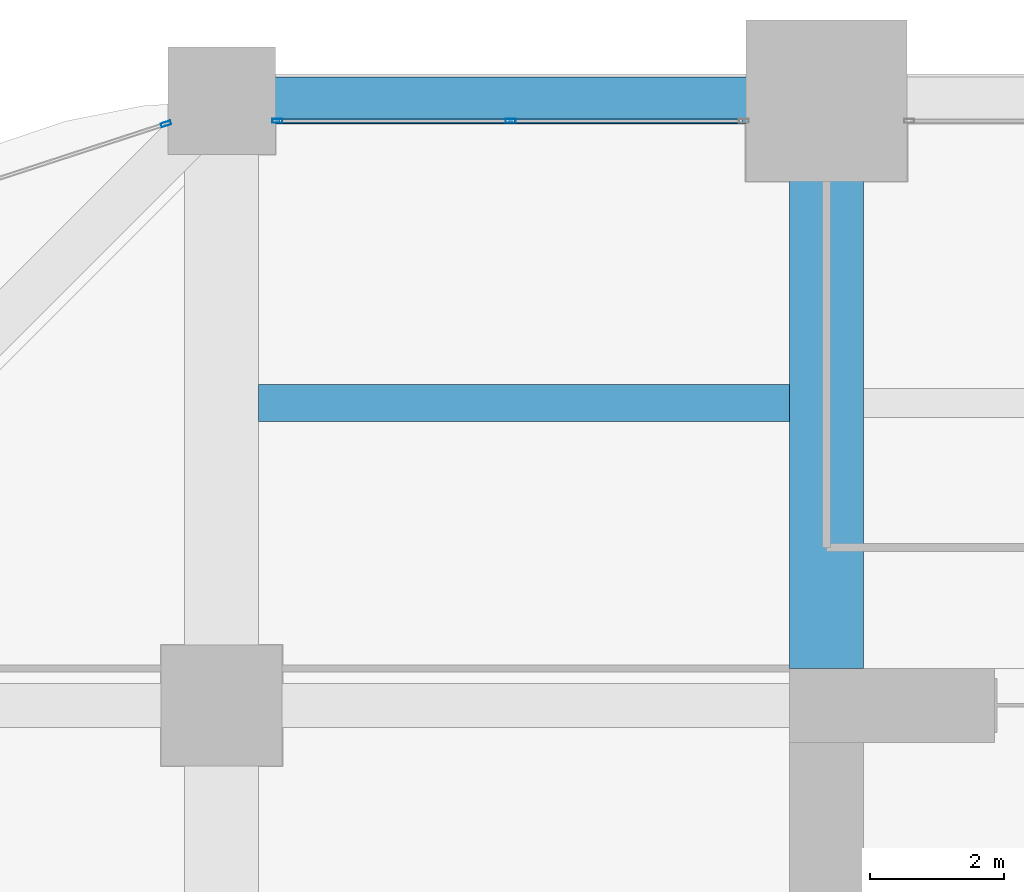
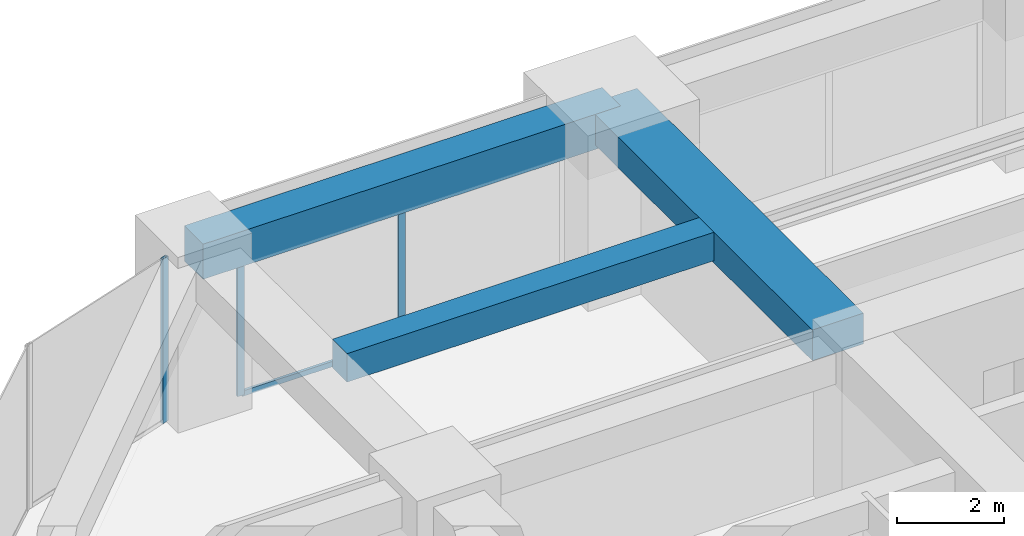
# One storey, part 27 of 39: 4 members, 3 beams, 2 elements without a shape of their own.
"""IFC4 building model written with IfcOpenShell, lengths in metres."""

from ifc_helpers import new_model, si_unit, direction, frame, origin, origin_2d, place, context, subcontext, project, spatial, rectangle, hollow_rectangle, extrude, material, material_profile, profile_set, type_object, element, aggregate, save


model = new_model("IFC4")

# Units and contexts
model_context = context("Model", 3, precision=1e-05, world=origin(), true_north=direction((0.0, 1.0)))
body_context = subcontext(model_context, "Body", "Model", "MODEL_VIEW")
ifc_project = project(units=[si_unit("LENGTHUNIT", "METRE"), si_unit("AREAUNIT", "SQUARE_METRE"), si_unit("VOLUMEUNIT", "CUBIC_METRE"), si_unit("PLANEANGLEUNIT", "RADIAN"), si_unit("MASSUNIT", "GRAM", prefix="KILO")], contexts=[model_context])

# Site, building, storey
site_placement = place(None, origin())
site = spatial("IfcSite", under=ifc_project, at=site_placement, CompositionType="ELEMENT")
building_placement = place(site_placement, origin())
building = spatial("IfcBuilding", under=site, at=building_placement, Name="Zorevar Civic Tower", CompositionType="ELEMENT")
storey_placement = place(building_placement, frame((0.0, 0.0, 125.0)))
storey = spatial("IfcBuildingStorey", under=building, at=storey_placement, Name="L30", CompositionType="ELEMENT", Elevation=125.0)

# Beams
ifc_material_1 = material(Name="Concrete C50/60", Category="concrete")
ifc_material_profile_1 = material_profile(ifc_material_1, rectangle(XDim=1.10009765625, YDim=0.699951171875, at=origin_2d()), Name="RC 1100x700")
ifc_profile_set_1 = profile_set([ifc_material_profile_1], Name="Concrete C50/60")
beam_type_1 = type_object("IfcBeamType", Name="Beam RC 1100x700", PredefinedType="BEAM", material=ifc_profile_set_1)
beam_1_placement = place(storey_placement, frame((18.0, 36.550048828125, 3.39990234375), z_axis=(0.0, 1.0, 0.0), x_axis=(-1.0, 0.0, 0.0)))
element("IfcBeam", 1, at=beam_1_placement, inside=storey, type_object=beam_type_1, Name="Girder L31", PredefinedType="BEAM", context=body_context, shape_type="SweptSolid", body=[
    extrude(rectangle(XDim=1.10009765625, YDim=0.699951171875, at=origin_2d()), origin(), (0.0, 0.0, 1.0), 8.449951171875),
])
ifc_material_2 = material(Name="Concrete C50/60", Category="concrete")
ifc_material_profile_2 = material_profile(ifc_material_2, rectangle(XDim=0.550048828125, YDim=0.64990234375, at=origin_2d()), Name="RC 550x650")
ifc_profile_set_2 = profile_set([ifc_material_profile_2], Name="Concrete C50/60")
beam_type_2 = type_object("IfcBeamType", Name="Beam RC 550x650", PredefinedType="BEAM", material=ifc_profile_set_2)
beam_2_placement = place(storey_placement, frame((9.550048828125, 40.5, 3.425048828125), z_axis=(1.0, 0.0, 0.0), x_axis=(0.0, 1.0, 0.0)))
element("IfcBeam", 2, at=beam_2_placement, inside=storey, type_object=beam_type_2, Name="Secondary beam L31", PredefinedType="BEAM", context=body_context, shape_type="SweptSolid", body=[
    extrude(rectangle(XDim=0.550048828125, YDim=0.64990234375, at=origin_2d()), origin(), (0.0, 0.0, 1.0), 7.89990234375),
])

# Curtain wall, members
ifc_material_3 = material(Name="Dark grey solar-control glass in black aluminium frame", Category="aluminium")
curtain_wall_type = type_object("IfcCurtainWallType", Name="Curtain wall CW3 mid zone", PredefinedType="NOTDEFINED", material=ifc_material_3)
curtain_wall_1_placement = place(storey_placement, origin())
curtain_wall_1 = element("IfcCurtainWall", 3, at=curtain_wall_1_placement, inside=storey, type_object=curtain_wall_type, Name="CW3 L30", PredefinedType="NOTDEFINED")
ifc_material_4 = material(Name="Aluminium, black anodised", Category="aluminium")
ifc_material_profile_3 = material_profile(ifc_material_4, hollow_rectangle(XDim=0.06005859375, YDim=0.14990234375, WallThickness=0.00390625, at=origin_2d()), Name="AL 150x60x4")
ifc_profile_set_3 = profile_set([ifc_material_profile_3], Name="Aluminium, black anodised")
member_type_1 = type_object("IfcMemberType", Name="CW3 mullion AL 150x60x4", PredefinedType="MULLION", material=ifc_profile_set_3)
member_1_placement = place(storey_placement, frame((9.830078125, 44.699951171875, 0.0), z_axis=(0.0, 0.0, 1.0), x_axis=(0.0, 1.0, 0.0)))
member_1 = element("IfcMember", 4, at=member_1_placement, type_object=member_type_1, Name="CW3 mullion 1", PredefinedType="MULLION", context=body_context, shape_type="SweptSolid", body=[
    extrude(hollow_rectangle(XDim=0.06005859375, YDim=0.14990234375, WallThickness=0.00390625, at=origin_2d()), origin(), (0.0, 0.0, 1.0), 2.949951171875),
])
member_2_placement = place(storey_placement, frame((13.300048828125, 44.699951171875, 0.06005859375), z_axis=(0.0, 0.0, 1.0), x_axis=(0.0, 1.0, 0.0)))
member_2 = element("IfcMember", 5, at=member_2_placement, type_object=member_type_1, Name="CW3 mullion 2", PredefinedType="MULLION", context=body_context, shape_type="SweptSolid", body=[
    extrude(hollow_rectangle(XDim=0.06005859375, YDim=0.14990234375, WallThickness=0.00390625, at=origin_2d()), origin(), (0.0, 0.0, 1.0), 2.889892578125),
])

# Curtain wall, member
curtain_wall_2_placement = place(storey_placement, origin())
curtain_wall_2 = element("IfcCurtainWall", 6, at=curtain_wall_2_placement, inside=storey, type_object=curtain_wall_type, Name="CW3 L30", PredefinedType="NOTDEFINED")
member_3_placement = place(storey_placement, frame((8.17138671875, 44.65380859375, 0.0), z_axis=(0.0, 0.0, 1.0), x_axis=(0.310263169163, -0.950650706548, 0.0)))
member_3 = element("IfcMember", 7, at=member_3_placement, type_object=member_type_1, Name="CW3 mullion 1", PredefinedType="MULLION", context=body_context, shape_type="SweptSolid", body=[
    extrude(hollow_rectangle(XDim=0.06005859375, YDim=0.14990234375, WallThickness=0.00390625, at=origin_2d()), origin(), (0.0, 0.0, 1.0), 3.75),
])
aggregate(curtain_wall_2, [member_3])

# Member
ifc_material_5 = material(Name="Aluminium, black anodised", Category="aluminium")
ifc_material_profile_4 = material_profile(ifc_material_5, hollow_rectangle(XDim=0.06005859375, YDim=0.1201171875, WallThickness=0.0029296875, at=origin_2d()), Name="AL 120x60x3")
ifc_profile_set_4 = profile_set([ifc_material_profile_4], Name="Aluminium, black anodised")
member_type_2 = type_object("IfcMemberType", Name="CW3 transom AL 120x60x3", PredefinedType="USERDEFINED", material=ifc_profile_set_4)
member_4_placement = place(storey_placement, frame((9.860107421875, 44.699951171875, 0.030029296875), z_axis=(1.0, 0.0, 0.0), x_axis=(0.0, 1.0, 0.0)))
member_4 = element("IfcMember", 8, at=member_4_placement, type_object=member_type_2, Name="CW3 sill transom", ObjectType="TRANSOM", PredefinedType="USERDEFINED", context=body_context, shape_type="SweptSolid", body=[
    extrude(hollow_rectangle(XDim=0.06005859375, YDim=0.1201171875, WallThickness=0.0029296875, at=origin_2d()), origin(), (0.0, 0.0, 1.0), 6.8798828125),
])

aggregate(curtain_wall_1, [member_1, member_2, member_4])

# Beam
ifc_material_6 = material(Name="Concrete C50/60", Category="concrete")
ifc_material_profile_5 = material_profile(ifc_material_6, rectangle(XDim=0.699951171875, YDim=0.800048828125, at=origin_2d()), Name="RC 700x800")
ifc_profile_set_5 = profile_set([ifc_material_profile_5], Name="Concrete C50/60")
beam_type_3 = type_object("IfcBeamType", Name="Edge beam RC 700x800", PredefinedType="SPANDREL", material=ifc_profile_set_5)
beam_3_placement = place(storey_placement, frame((9.0, 45.0, 3.35009765625), z_axis=(1.0, 0.0, 0.0), x_axis=(0.0, 1.0, 0.0)))
element("IfcBeam", 9, at=beam_3_placement, inside=storey, type_object=beam_type_3, Name="Edge beam L31", PredefinedType="SPANDREL", context=body_context, shape_type="SweptSolid", body=[
    extrude(rectangle(XDim=0.699951171875, YDim=0.800048828125, at=origin_2d()), origin(), (0.0, 0.0, 1.0), 9.0),
])

save(model, "model.ifc")
